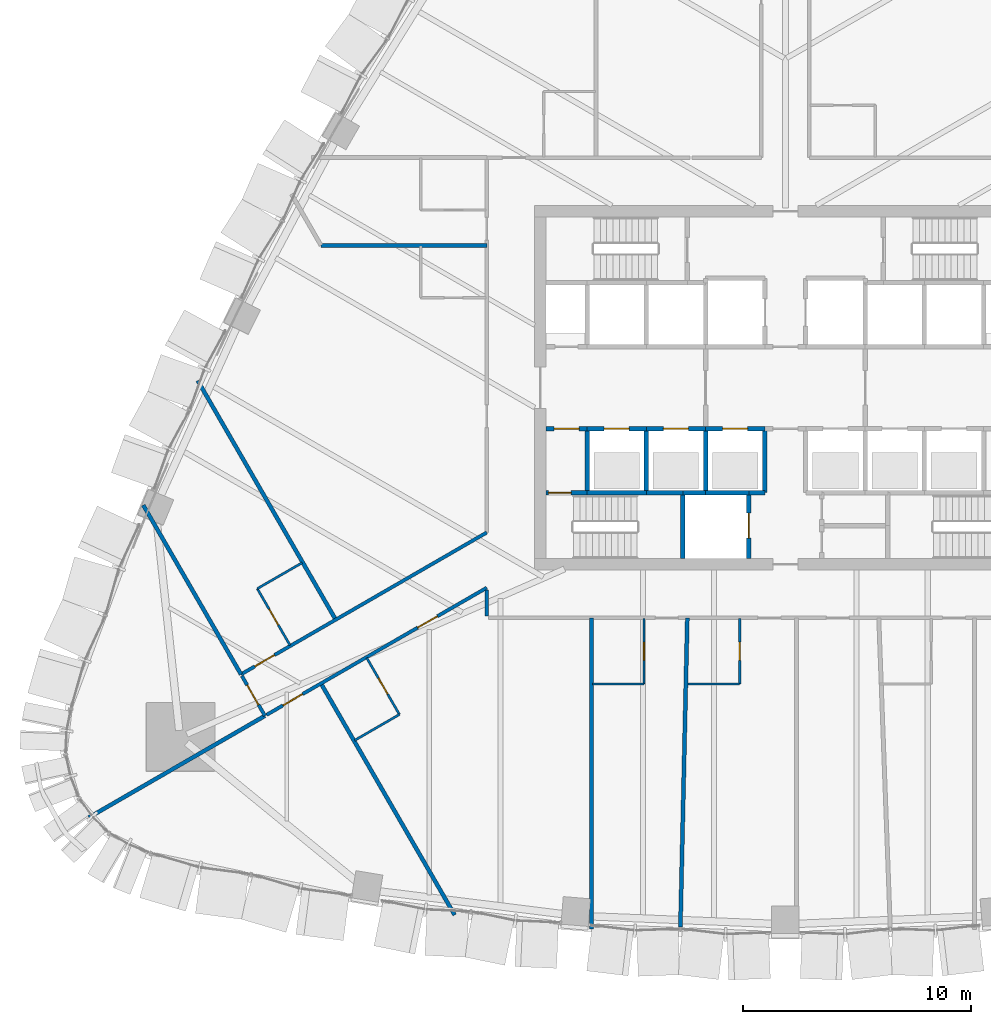
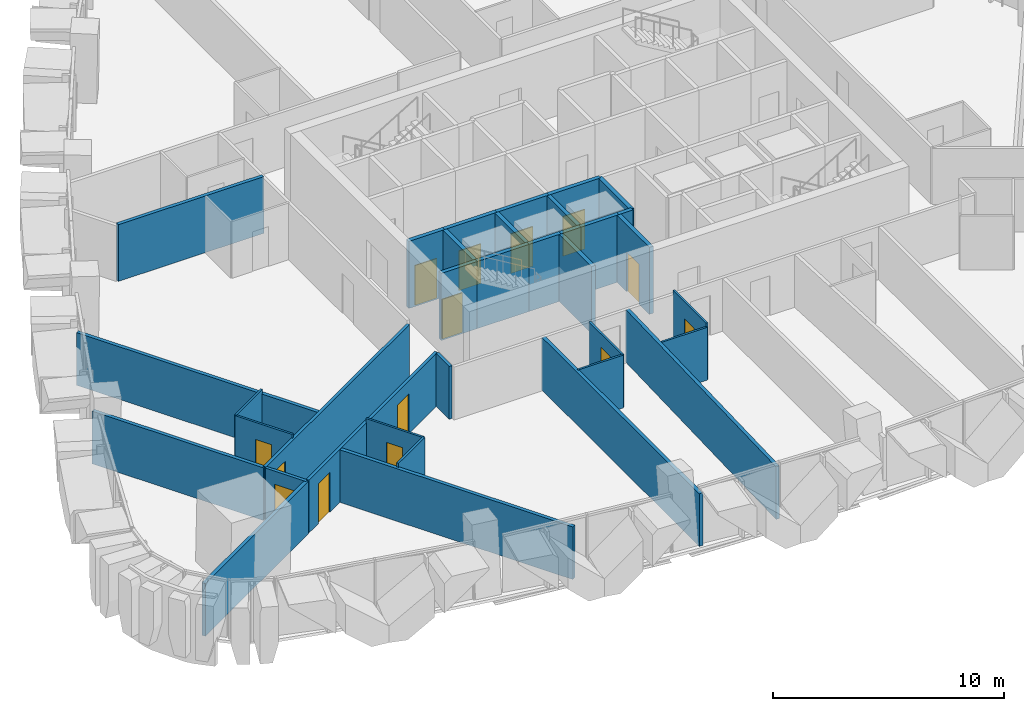
# One storey, part 13 of 23: 35 walls, 14 doors, 14 openings.
"""IFC4 building model written with IfcOpenShell, lengths in metres."""

from ifc_helpers import new_model, si_unit, direction, frame, frame_2d, origin, place, context, subcontext, project, spatial, rectangle, extrude, material, layer, layer_set, type_object, element, fill, save


model = new_model("IFC4")

# Units and contexts
model_context = context("Model", 3, precision=1e-05, world=origin(), true_north=direction((0.0, 1.0)))
body_context = subcontext(model_context, "Body", "Model", "MODEL_VIEW")
ifc_project = project(units=[si_unit("LENGTHUNIT", "METRE"), si_unit("AREAUNIT", "SQUARE_METRE"), si_unit("VOLUMEUNIT", "CUBIC_METRE"), si_unit("PLANEANGLEUNIT", "RADIAN"), si_unit("MASSUNIT", "GRAM", prefix="KILO")], contexts=[model_context])

# Site, building, storey
site_placement = place(None, origin())
site = spatial("IfcSite", under=ifc_project, at=site_placement, CompositionType="ELEMENT")
building_placement = place(site_placement, origin())
building = spatial("IfcBuilding", under=site, at=building_placement, Name="Sierra Prisma Convention Tower", CompositionType="ELEMENT")
storey_placement = place(building_placement, frame((0.0, 0.0, 70.199951171875)))
storey = spatial("IfcBuildingStorey", under=building, at=storey_placement, Name="L13", CompositionType="ELEMENT", Elevation=70.199951171875)

# Wall, opening, door
ifc_material_1 = material(Name="Gypsum board partition", Category="gypsum")
ifc_layer_1 = layer(ifc_material_1, 0.10009765625)
ifc_layer_set_1 = layer_set([ifc_layer_1], Name="Bathroom partition 100")
wall_type_1 = type_object("IfcWallType", Name="Bathroom partition 100", PredefinedType="PARTITIONING", material=ifc_layer_set_1)
wall_1_placement = place(storey_placement, frame((-21.7333984375, -11.30078125, 0.0), z_axis=(0.0, 0.0, 1.0), x_axis=(-0.499999802827, 0.866025517622, 0.0)))
wall_1 = element("IfcWall", 1, at=wall_1_placement, inside=storey, type_object=wall_type_1, Name="Partition L13 bath 1", PredefinedType="PARTITIONING", context=body_context, shape_type="SweptSolid", body=[
    extrude(rectangle(XDim=2.8701171875, YDim=0.10009765625, at=frame_2d((1.43505859375, 0.0))), origin(), (0.0, 0.0, 1.0), 3.0),
])
opening_1_placement = place(wall_1_placement, frame((1.034912109375, 0.0, 0.0)))
opening_1 = element("IfcOpeningElement", 2, at=opening_1_placement, cuts=wall_1, Name="Opening L13-D007", PredefinedType="OPENING", context=body_context, shape_type="SweptSolid", body=[
    extrude(rectangle(XDim=0.800048828125, YDim=2.10009765625, at=frame_2d((0.39990234375, 1.050048828125))), frame((0.0, 0.050048828125, 0.0), z_axis=(0.0, -1.0, 0.0), x_axis=(1.0, 0.0, 0.0)), (0.0, 0.0, 1.0), 0.10009765625),
])
ifc_material_2 = material(Name="Solid core timber door leaf", Category="wood")
door_type_1 = type_object("IfcDoorType", Name="Door 800x2100 plain", OperationType="SINGLE_SWING_LEFT", PredefinedType="DOOR", material=ifc_material_2)
door_1_placement = place(opening_1_placement, origin())
door_1 = element("IfcDoor", 3, at=door_1_placement, inside=storey, type_object=door_type_1, Name="Door L13 17", OperationType="SINGLE_SWING_LEFT", OverallHeight=2.10009765625, OverallWidth=0.800048828125, PredefinedType="DOOR", context=body_context, shape_type="SweptSolid", body=[
    extrude(rectangle(XDim=0.800048828125, YDim=2.10009765625, at=frame_2d((0.39990234375, 1.050048828125))), frame((0.0, 0.02490234375, 0.0), z_axis=(0.0, -1.0, 0.0), x_axis=(1.0, 0.0, 0.0)), (0.0, 0.0, 1.0), 0.050048828125),
])
fill(opening_1, door_1)

# Wall
wall_2_placement = place(storey_placement, frame((-23.16845703125, -8.815185546875, 0.0), z_axis=(0.0, 0.0, 1.0), x_axis=(0.866044110172, 0.499967598186, 0.0)))
element("IfcWall", 4, at=wall_2_placement, inside=storey, type_object=wall_type_1, Name="Partition L13 bath 2", PredefinedType="PARTITIONING", context=body_context, shape_type="SweptSolid", body=[
    extrude(rectangle(XDim=2.270263671875, YDim=0.10009765625, at=frame_2d((1.13525390625, 0.0))), origin(), (0.0, 0.0, 1.0), 3.0),
])

# Wall, opening, door
wall_3_placement = place(storey_placement, frame((-18.367919921875, -11.851806640625, 0.0), z_axis=(0.0, 0.0, 1.0), x_axis=(0.500036638401, -0.866004249561, 0.0)))
wall_3 = element("IfcWall", 5, at=wall_3_placement, inside=storey, type_object=wall_type_1, Name="Partition L13 bath 3", PredefinedType="PARTITIONING", context=body_context, shape_type="SweptSolid", body=[
    extrude(rectangle(XDim=2.869873046875, YDim=0.10009765625, at=frame_2d((1.43505859375, 0.0))), origin(), (0.0, 0.0, 1.0), 3.0),
])
opening_2_placement = place(wall_3_placement, frame((1.034912109375, 0.0, 0.0)))
opening_2 = element("IfcOpeningElement", 6, at=opening_2_placement, cuts=wall_3, Name="Opening L13-D008", PredefinedType="OPENING", context=body_context, shape_type="SweptSolid", body=[
    extrude(rectangle(XDim=0.800048828125, YDim=2.10009765625, at=frame_2d((0.39990234375, 1.050048828125))), frame((0.0, 0.050048828125, 0.0), z_axis=(0.0, -1.0, 0.0), x_axis=(1.0, 0.0, 0.0)), (0.0, 0.0, 1.0), 0.10009765625),
])
door_2_placement = place(opening_2_placement, origin())
door_2 = element("IfcDoor", 7, at=door_2_placement, inside=storey, type_object=door_type_1, Name="Door L13 21", OperationType="SINGLE_SWING_LEFT", OverallHeight=2.10009765625, OverallWidth=0.800048828125, PredefinedType="DOOR", context=body_context, shape_type="SweptSolid", body=[
    extrude(rectangle(XDim=0.800048828125, YDim=2.10009765625, at=frame_2d((0.39990234375, 1.050048828125))), frame((0.0, 0.02490234375, 0.0), z_axis=(0.0, -1.0, 0.0), x_axis=(1.0, 0.0, 0.0)), (0.0, 0.0, 1.0), 0.050048828125),
])
fill(opening_2, door_2)

# Wall
wall_4_placement = place(storey_placement, frame((-16.932861328125, -14.337158203125, 0.0), z_axis=(0.0, 0.0, 1.0), x_axis=(-0.866017224141, -0.500014167291, 0.0)))
element("IfcWall", 8, at=wall_4_placement, inside=storey, type_object=wall_type_1, Name="Partition L13 bath 4", PredefinedType="PARTITIONING", context=body_context, shape_type="SweptSolid", body=[
    extrude(rectangle(XDim=2.27001953125, YDim=0.10009765625, at=frame_2d((1.135009765625, 0.0))), origin(), (0.0, 0.0, 1.0), 3.0),
])

# Wall, opening, door
wall_5_placement = place(storey_placement, frame((-6.199951171875, -10.1298828125, 0.0), z_axis=(0.0, 0.0, 1.0), x_axis=(0.0, -1.0, 0.0)))
wall_5 = element("IfcWall", 9, at=wall_5_placement, inside=storey, type_object=wall_type_1, Name="Partition L13 bath 11", PredefinedType="PARTITIONING", context=body_context, shape_type="SweptSolid", body=[
    extrude(rectangle(XDim=2.8701171875, YDim=0.10009765625, at=frame_2d((1.43505859375, 0.0))), origin(), (0.0, 0.0, 1.0), 2.797119140625),
])
opening_3_placement = place(wall_5_placement, frame((1.034912109375, 0.0, 0.0)))
opening_3 = element("IfcOpeningElement", 10, at=opening_3_placement, cuts=wall_5, Name="Opening L13-D009", PredefinedType="OPENING", context=body_context, shape_type="SweptSolid", body=[
    extrude(rectangle(XDim=0.800048828125, YDim=2.10009765625, at=frame_2d((0.39990234375, 1.050048828125))), frame((0.0, 0.050048828125, 0.0), z_axis=(0.0, -1.0, 0.0), x_axis=(1.0, 0.0, 0.0)), (0.0, 0.0, 1.0), 0.10009765625),
])
door_3_placement = place(opening_3_placement, origin())
door_3 = element("IfcDoor", 11, at=door_3_placement, inside=storey, type_object=door_type_1, Name="Door L13 23", OperationType="SINGLE_SWING_RIGHT", OverallHeight=2.10009765625, OverallWidth=0.800048828125, PredefinedType="DOOR", context=body_context, shape_type="SweptSolid", body=[
    extrude(rectangle(XDim=0.800048828125, YDim=2.10009765625, at=frame_2d((0.39990234375, 1.050048828125))), frame((0.0, 0.02490234375, 0.0), z_axis=(0.0, -1.0, 0.0), x_axis=(1.0, 0.0, 0.0)), (0.0, 0.0, 1.0), 0.050048828125),
])
fill(opening_3, door_3)

# Wall
wall_6_placement = place(storey_placement, frame((-6.199951171875, -13.0, 0.0), z_axis=(0.0, 0.0, 1.0), x_axis=(-1.0, 0.0, 0.0)))
element("IfcWall", 12, at=wall_6_placement, inside=storey, type_object=wall_type_1, Name="Partition L13 bath 12", PredefinedType="PARTITIONING", context=body_context, shape_type="SweptSolid", body=[
    extrude(rectangle(XDim=2.27001953125, YDim=0.10009765625, at=frame_2d((1.135009765625, 0.0))), origin(), (0.0, 0.0, 1.0), 2.797119140625),
])

# Wall, opening, door
wall_7_placement = place(storey_placement, frame((-2.0, -10.1298828125, 0.0), z_axis=(0.0, 0.0, 1.0), x_axis=(0.0, -1.0, 0.0)))
wall_7 = element("IfcWall", 13, at=wall_7_placement, inside=storey, type_object=wall_type_1, Name="Partition L13 bath 13", PredefinedType="PARTITIONING", context=body_context, shape_type="SweptSolid", body=[
    extrude(rectangle(XDim=2.8701171875, YDim=0.10009765625, at=frame_2d((1.43505859375, 0.0))), origin(), (0.0, 0.0, 1.0), 3.0),
])
opening_4_placement = place(wall_7_placement, frame((1.034912109375, 0.0, 0.0)))
opening_4 = element("IfcOpeningElement", 14, at=opening_4_placement, cuts=wall_7, Name="Opening L13-D010", PredefinedType="OPENING", context=body_context, shape_type="SweptSolid", body=[
    extrude(rectangle(XDim=0.800048828125, YDim=2.10009765625, at=frame_2d((0.39990234375, 1.050048828125))), frame((0.0, 0.050048828125, 0.0), z_axis=(0.0, -1.0, 0.0), x_axis=(1.0, 0.0, 0.0)), (0.0, 0.0, 1.0), 0.10009765625),
])
door_4_placement = place(opening_4_placement, origin())
door_4 = element("IfcDoor", 15, at=door_4_placement, inside=storey, type_object=door_type_1, Name="Door L13 25", OperationType="SINGLE_SWING_LEFT", OverallHeight=2.10009765625, OverallWidth=0.800048828125, PredefinedType="DOOR", context=body_context, shape_type="SweptSolid", body=[
    extrude(rectangle(XDim=0.800048828125, YDim=2.10009765625, at=frame_2d((0.39990234375, 1.050048828125))), frame((0.0, 0.02490234375, 0.0), z_axis=(0.0, -1.0, 0.0), x_axis=(1.0, 0.0, 0.0)), (0.0, 0.0, 1.0), 0.050048828125),
])
fill(opening_4, door_4)

# Wall
wall_8_placement = place(storey_placement, frame((-2.0, -13.0, 0.0), z_axis=(0.0, 0.0, 1.0), x_axis=(-1.0, 0.0, 0.0)))
element("IfcWall", 16, at=wall_8_placement, inside=storey, type_object=wall_type_1, Name="Partition L13 bath 14", PredefinedType="PARTITIONING", context=body_context, shape_type="SweptSolid", body=[
    extrude(rectangle(XDim=2.27001953125, YDim=0.10009765625, at=frame_2d((1.135009765625, 0.0))), origin(), (0.0, 0.0, 1.0), 2.797119140625),
])

# Wall, opening, door
ifc_material_3 = material(Name="Concrete C30/37", Category="concrete")
ifc_layer_2 = layer(ifc_material_3, 0.199951171875)
ifc_layer_set_2 = layer_set([ifc_layer_2], Name="Core wall RC 200 C30/37")
wall_type_2 = type_object("IfcWallType", Name="Core wall RC 200 C30/37", PredefinedType="SOLIDWALL", material=ifc_layer_set_2)
wall_9_placement = place(storey_placement, frame((-10.5, -4.60009765625, 0.0), z_axis=(0.0, 0.0, 1.0), x_axis=(1.0, 0.0, 0.0)))
wall_9 = element("IfcWall", 17, at=wall_9_placement, inside=storey, type_object=wall_type_2, Name="Core wall L13 1", PredefinedType="SOLIDWALL", context=body_context, shape_type="SweptSolid", body=[
    extrude(rectangle(XDim=1.800048828125, YDim=0.199951171875, at=frame_2d((0.89990234375, 0.0))), origin(), (0.0, 0.0, 1.0), 3.550048828125),
])
opening_5_placement = place(wall_9_placement, frame((0.10009765625, 0.0, 0.0)))
opening_5 = element("IfcOpeningElement", 18, at=opening_5_placement, cuts=wall_9, Name="Opening L13-D033", PredefinedType="OPENING", context=body_context, shape_type="SweptSolid", body=[
    extrude(rectangle(XDim=1.0, YDim=2.10009765625, at=frame_2d((0.5, 1.050048828125))), frame((0.0, 0.10009765625, 0.0), z_axis=(0.0, -1.0, 0.0), x_axis=(1.0, 0.0, 0.0)), (0.0, 0.0, 1.0), 0.199951171875),
])
ifc_material_4 = material(Name="Steel fire door leaf", Category="steel")
door_type_2 = type_object("IfcDoorType", Name="Door 1000x2100 FD90S", OperationType="SINGLE_SWING_LEFT", PredefinedType="DOOR", material=ifc_material_4)
door_5_placement = place(opening_5_placement, origin())
door_5 = element("IfcDoor", 19, at=door_5_placement, inside=storey, type_object=door_type_2, Name="Door L13 54", OperationType="SINGLE_SWING_LEFT", OverallHeight=2.10009765625, OverallWidth=1.0, PredefinedType="DOOR", context=body_context, shape_type="SweptSolid", body=[
    extrude(rectangle(XDim=1.0, YDim=2.10009765625, at=frame_2d((0.5, 1.050048828125))), frame((0.0, 0.02490234375, 0.0), z_axis=(0.0, -1.0, 0.0), x_axis=(1.0, 0.0, 0.0)), (0.0, 0.0, 1.0), 0.050048828125),
])
fill(opening_5, door_5)

wall_10_placement = place(storey_placement, frame((-10.5, -1.800048828125, 0.0), z_axis=(0.0, 0.0, 1.0), x_axis=(1.0, 0.0, 0.0)))
wall_10 = element("IfcWall", 20, at=wall_10_placement, inside=storey, type_object=wall_type_2, Name="Core wall L13 2", PredefinedType="SOLIDWALL", context=body_context, shape_type="SweptSolid", body=[
    extrude(rectangle(XDim=1.800048828125, YDim=0.199951171875, at=frame_2d((0.89990234375, 0.0))), origin(), (0.0, 0.0, 1.0), 3.550048828125),
])
opening_6_placement = place(wall_10_placement, frame((0.35009765625, 0.0, 0.0)))
opening_6 = element("IfcOpeningElement", 21, at=opening_6_placement, cuts=wall_10, Name="Opening L13-D027", PredefinedType="OPENING", context=body_context, shape_type="SweptSolid", body=[
    extrude(rectangle(XDim=1.10009765625, YDim=2.10009765625, at=frame_2d((0.550048828125, 1.050048828125))), frame((0.0, 0.10009765625, 0.0), z_axis=(0.0, -1.0, 0.0), x_axis=(1.0, 0.0, 0.0)), (0.0, 0.0, 1.0), 0.199951171875),
])
ifc_material_5 = material(Name="Steel fire door leaf", Category="steel")
door_type_3 = type_object("IfcDoorType", Name="Door 1100x2100 FD90S", OperationType="SINGLE_SWING_LEFT", PredefinedType="DOOR", material=ifc_material_5)
door_6_placement = place(opening_6_placement, origin())
door_6 = element("IfcDoor", 22, at=door_6_placement, inside=storey, type_object=door_type_3, Name="Door L13 48", OperationType="SINGLE_SWING_LEFT", OverallHeight=2.10009765625, OverallWidth=1.10009765625, PredefinedType="DOOR", context=body_context, shape_type="SweptSolid", body=[
    extrude(rectangle(XDim=1.10009765625, YDim=2.10009765625, at=frame_2d((0.550048828125, 1.050048828125))), frame((0.0, 0.02490234375, 0.0), z_axis=(0.0, -1.0, 0.0), x_axis=(1.0, 0.0, 0.0)), (0.0, 0.0, 1.0), 0.050048828125),
])
fill(opening_6, door_6)

# Walls
wall_11_placement = place(storey_placement, frame((-8.699951171875, -4.60009765625, 0.0), z_axis=(0.0, 0.0, 1.0), x_axis=(1.0, 0.0, 0.0)))
element("IfcWall", 23, at=wall_11_placement, inside=storey, type_object=wall_type_2, Name="Core wall L13 5", PredefinedType="SOLIDWALL", context=body_context, shape_type="SweptSolid", body=[
    extrude(rectangle(XDim=2.599853515625, YDim=0.199951171875, at=frame_2d((1.2998046875, 0.0))), origin(), (0.0, 0.0, 1.0), 3.550048828125),
])
wall_12_placement = place(storey_placement, frame((-8.699951171875, -4.60009765625, 0.0), z_axis=(0.0, 0.0, 1.0), x_axis=(0.0, 1.0, 0.0)))
element("IfcWall", 24, at=wall_12_placement, inside=storey, type_object=wall_type_2, Name="Core wall L13 6", PredefinedType="SOLIDWALL", context=body_context, shape_type="SweptSolid", body=[
    extrude(rectangle(XDim=2.800048828125, YDim=0.199951171875, at=frame_2d((1.39990234375, 0.0))), origin(), (0.0, 0.0, 1.0), 3.550048828125),
])

# Wall, opening, door
wall_13_placement = place(storey_placement, frame((-8.699951171875, -1.800048828125, 0.0), z_axis=(0.0, 0.0, 1.0), x_axis=(1.0, 0.0, 0.0)))
wall_13 = element("IfcWall", 25, at=wall_13_placement, inside=storey, type_object=wall_type_2, Name="Core wall L13 7", PredefinedType="SOLIDWALL", context=body_context, shape_type="SweptSolid", body=[
    extrude(rectangle(XDim=2.599853515625, YDim=0.199951171875, at=frame_2d((1.2998046875, 0.0))), origin(), (0.0, 0.0, 1.0), 3.550048828125),
])
opening_7_placement = place(wall_13_placement, frame((0.75, 0.0, 0.0)))
opening_7 = element("IfcOpeningElement", 26, at=opening_7_placement, cuts=wall_13, Name="Opening L13-D016", PredefinedType="OPENING", context=body_context, shape_type="SweptSolid", body=[
    extrude(rectangle(XDim=1.10009765625, YDim=2.10009765625, at=frame_2d((0.550048828125, 1.050048828125))), frame((0.0, 0.10009765625, 0.0), z_axis=(0.0, -1.0, 0.0), x_axis=(1.0, 0.0, 0.0)), (0.0, 0.0, 1.0), 0.199951171875),
])
ifc_material_6 = material(Name="Steel fire door leaf", Category="steel")
door_type_4 = type_object("IfcDoorType", Name="Door 1100x2100 EI 90 sliding lift landing", OperationType="SLIDING_TO_LEFT", PredefinedType="DOOR", material=ifc_material_6)
door_7_placement = place(opening_7_placement, origin())
door_7 = element("IfcDoor", 27, at=door_7_placement, inside=storey, type_object=door_type_4, Name="Door L13 37", OperationType="SLIDING_TO_RIGHT", OverallHeight=2.10009765625, OverallWidth=1.10009765625, PredefinedType="DOOR", context=body_context, shape_type="SweptSolid", body=[
    extrude(rectangle(XDim=1.10009765625, YDim=2.10009765625, at=frame_2d((0.550048828125, 1.050048828125))), frame((0.0, 0.02490234375, 0.0), z_axis=(0.0, -1.0, 0.0), x_axis=(1.0, 0.0, 0.0)), (0.0, 0.0, 1.0), 0.050048828125),
])
fill(opening_7, door_7)

# Walls
wall_14_placement = place(storey_placement, frame((-6.10009765625, -4.60009765625, 0.0), z_axis=(0.0, 0.0, 1.0), x_axis=(1.0, 0.0, 0.0)))
element("IfcWall", 28, at=wall_14_placement, inside=storey, type_object=wall_type_2, Name="Core wall L13 11", PredefinedType="SOLIDWALL", context=body_context, shape_type="SweptSolid", body=[
    extrude(rectangle(XDim=1.60009765625, YDim=0.199951171875, at=frame_2d((0.800048828125, 0.0))), origin(), (0.0, 0.0, 1.0), 3.550048828125),
])
wall_15_placement = place(storey_placement, frame((-6.10009765625, -4.60009765625, 0.0), z_axis=(0.0, 0.0, 1.0), x_axis=(0.0, 1.0, 0.0)))
element("IfcWall", 29, at=wall_15_placement, inside=storey, type_object=wall_type_2, Name="Core wall L13 12", PredefinedType="SOLIDWALL", context=body_context, shape_type="SweptSolid", body=[
    extrude(rectangle(XDim=2.800048828125, YDim=0.199951171875, at=frame_2d((1.39990234375, 0.0))), origin(), (0.0, 0.0, 1.0), 3.550048828125),
])

# Wall, opening, door
wall_16_placement = place(storey_placement, frame((-6.10009765625, -1.800048828125, 0.0), z_axis=(0.0, 0.0, 1.0), x_axis=(1.0, 0.0, 0.0)))
wall_16 = element("IfcWall", 30, at=wall_16_placement, inside=storey, type_object=wall_type_2, Name="Core wall L13 13", PredefinedType="SOLIDWALL", context=body_context, shape_type="SweptSolid", body=[
    extrude(rectangle(XDim=2.60009765625, YDim=0.199951171875, at=frame_2d((1.300048828125, 0.0))), origin(), (0.0, 0.0, 1.0), 3.550048828125),
])
opening_8_placement = place(wall_16_placement, frame((0.75, 0.0, 0.0)))
opening_8 = element("IfcOpeningElement", 31, at=opening_8_placement, cuts=wall_16, Name="Opening L13-D017", PredefinedType="OPENING", context=body_context, shape_type="SweptSolid", body=[
    extrude(rectangle(XDim=1.10009765625, YDim=2.10009765625, at=frame_2d((0.550048828125, 1.050048828125))), frame((0.0, 0.10009765625, 0.0), z_axis=(0.0, -1.0, 0.0), x_axis=(1.0, 0.0, 0.0)), (0.0, 0.0, 1.0), 0.199951171875),
])
door_8_placement = place(opening_8_placement, origin())
door_8 = element("IfcDoor", 32, at=door_8_placement, inside=storey, type_object=door_type_4, Name="Door L13 38", OperationType="SLIDING_TO_RIGHT", OverallHeight=2.10009765625, OverallWidth=1.10009765625, PredefinedType="DOOR", context=body_context, shape_type="SweptSolid", body=[
    extrude(rectangle(XDim=1.10009765625, YDim=2.10009765625, at=frame_2d((0.550048828125, 1.050048828125))), frame((0.0, 0.02490234375, 0.0), z_axis=(0.0, -1.0, 0.0), x_axis=(1.0, 0.0, 0.0)), (0.0, 0.0, 1.0), 0.050048828125),
])
fill(opening_8, door_8)

# Walls
wall_17_placement = place(storey_placement, frame((-4.5, -4.60009765625, 0.0), z_axis=(0.0, 0.0, 1.0), x_axis=(0.0, -1.0, 0.0)))
element("IfcWall", 33, at=wall_17_placement, inside=storey, type_object=wall_type_2, Name="Core wall L13 17", PredefinedType="SOLIDWALL", context=body_context, shape_type="SweptSolid", body=[
    extrude(rectangle(XDim=2.89990234375, YDim=0.199951171875, at=frame_2d((1.449951171875, 0.0))), origin(), (0.0, 0.0, 1.0), 3.550048828125),
])
wall_18_placement = place(storey_placement, frame((-4.5, -4.60009765625, 0.0), z_axis=(0.0, 0.0, 1.0), x_axis=(1.0, 0.0, 0.0)))
element("IfcWall", 34, at=wall_18_placement, inside=storey, type_object=wall_type_2, Name="Core wall L13 18", PredefinedType="SOLIDWALL", context=body_context, shape_type="SweptSolid", body=[
    extrude(rectangle(XDim=1.0, YDim=0.199951171875, at=frame_2d((0.5, 0.0))), origin(), (0.0, 0.0, 1.0), 3.550048828125),
])
wall_19_placement = place(storey_placement, frame((-3.5, -4.60009765625, 0.0), z_axis=(0.0, 0.0, 1.0), x_axis=(1.0, 0.0, 0.0)))
element("IfcWall", 35, at=wall_19_placement, inside=storey, type_object=wall_type_2, Name="Core wall L13 21", PredefinedType="SOLIDWALL", context=body_context, shape_type="SweptSolid", body=[
    extrude(rectangle(XDim=1.89990234375, YDim=0.199951171875, at=frame_2d((0.949951171875, 0.0))), origin(), (0.0, 0.0, 1.0), 3.550048828125),
])
wall_20_placement = place(storey_placement, frame((-3.5, -4.60009765625, 0.0), z_axis=(0.0, 0.0, 1.0), x_axis=(0.0, 1.0, 0.0)))
element("IfcWall", 36, at=wall_20_placement, inside=storey, type_object=wall_type_2, Name="Core wall L13 22", PredefinedType="SOLIDWALL", context=body_context, shape_type="SweptSolid", body=[
    extrude(rectangle(XDim=2.800048828125, YDim=0.199951171875, at=frame_2d((1.39990234375, 0.0))), origin(), (0.0, 0.0, 1.0), 3.550048828125),
])

# Wall, opening, door
wall_21_placement = place(storey_placement, frame((-3.5, -1.800048828125, 0.0), z_axis=(0.0, 0.0, 1.0), x_axis=(1.0, 0.0, 0.0)))
wall_21 = element("IfcWall", 37, at=wall_21_placement, inside=storey, type_object=wall_type_2, Name="Core wall L13 23", PredefinedType="SOLIDWALL", context=body_context, shape_type="SweptSolid", body=[
    extrude(rectangle(XDim=2.60009765625, YDim=0.199951171875, at=frame_2d((1.300048828125, 0.0))), origin(), (0.0, 0.0, 1.0), 3.550048828125),
])
opening_9_placement = place(wall_21_placement, frame((0.75, 0.0, 0.0)))
opening_9 = element("IfcOpeningElement", 38, at=opening_9_placement, cuts=wall_21, Name="Opening L13-D018", PredefinedType="OPENING", context=body_context, shape_type="SweptSolid", body=[
    extrude(rectangle(XDim=1.10009765625, YDim=2.10009765625, at=frame_2d((0.550048828125, 1.050048828125))), frame((0.0, 0.10009765625, 0.0), z_axis=(0.0, -1.0, 0.0), x_axis=(1.0, 0.0, 0.0)), (0.0, 0.0, 1.0), 0.199951171875),
])
door_9_placement = place(opening_9_placement, origin())
door_9 = element("IfcDoor", 39, at=door_9_placement, inside=storey, type_object=door_type_4, Name="Door L13 39", OperationType="SLIDING_TO_RIGHT", OverallHeight=2.10009765625, OverallWidth=1.10009765625, PredefinedType="DOOR", context=body_context, shape_type="SweptSolid", body=[
    extrude(rectangle(XDim=1.10009765625, YDim=2.10009765625, at=frame_2d((0.550048828125, 1.050048828125))), frame((0.0, 0.02490234375, 0.0), z_axis=(0.0, -1.0, 0.0), x_axis=(1.0, 0.0, 0.0)), (0.0, 0.0, 1.0), 0.050048828125),
])
fill(opening_9, door_9)

wall_22_placement = place(storey_placement, frame((-1.60009765625, -7.5, 0.0), z_axis=(0.0, 0.0, 1.0), x_axis=(0.0, 1.0, 0.0)))
wall_22 = element("IfcWall", 40, at=wall_22_placement, inside=storey, type_object=wall_type_2, Name="Core wall L13 30", PredefinedType="SOLIDWALL", context=body_context, shape_type="SweptSolid", body=[
    extrude(rectangle(XDim=2.89990234375, YDim=0.199951171875, at=frame_2d((1.449951171875, 0.0))), origin(), (0.0, 0.0, 1.0), 3.550048828125),
])
opening_10_placement = place(wall_22_placement, frame((0.89990234375, 0.0, 0.0)))
opening_10 = element("IfcOpeningElement", 41, at=opening_10_placement, cuts=wall_22, Name="Opening L13-D024", PredefinedType="OPENING", context=body_context, shape_type="SweptSolid", body=[
    extrude(rectangle(XDim=1.10009765625, YDim=2.10009765625, at=frame_2d((0.550048828125, 1.050048828125))), frame((0.0, 0.10009765625, 0.0), z_axis=(0.0, -1.0, 0.0), x_axis=(1.0, 0.0, 0.0)), (0.0, 0.0, 1.0), 0.199951171875),
])
door_10_placement = place(opening_10_placement, origin())
door_10 = element("IfcDoor", 42, at=door_10_placement, inside=storey, type_object=door_type_4, Name="Door L13 45", OperationType="SLIDING_TO_LEFT", OverallHeight=2.10009765625, OverallWidth=1.10009765625, PredefinedType="DOOR", context=body_context, shape_type="SweptSolid", body=[
    extrude(rectangle(XDim=1.10009765625, YDim=2.10009765625, at=frame_2d((0.550048828125, 1.050048828125))), frame((0.0, 0.02490234375, 0.0), z_axis=(0.0, -1.0, 0.0), x_axis=(1.0, 0.0, 0.0)), (0.0, 0.0, 1.0), 0.050048828125),
])
fill(opening_10, door_10)

# Walls
wall_23_placement = place(storey_placement, frame((-1.60009765625, -4.60009765625, 0.0), z_axis=(0.0, 0.0, 1.0), x_axis=(1.0, 0.0, 0.0)))
element("IfcWall", 43, at=wall_23_placement, inside=storey, type_object=wall_type_2, Name="Core wall L13 31", PredefinedType="SOLIDWALL", context=body_context, shape_type="SweptSolid", body=[
    extrude(rectangle(XDim=0.7001953125, YDim=0.199951171875, at=frame_2d((0.35009765625, 0.0))), origin(), (0.0, 0.0, 1.0), 3.550048828125),
])
wall_24_placement = place(storey_placement, frame((-0.89990234375, -4.60009765625, 0.0), z_axis=(0.0, 0.0, 1.0), x_axis=(0.0, 1.0, 0.0)))
element("IfcWall", 44, at=wall_24_placement, inside=storey, type_object=wall_type_2, Name="Core wall L13 32", PredefinedType="SOLIDWALL", context=body_context, shape_type="SweptSolid", body=[
    extrude(rectangle(XDim=2.800048828125, YDim=0.199951171875, at=frame_2d((1.39990234375, 0.0))), origin(), (0.0, 0.0, 1.0), 3.550048828125),
])

# Wall, opening, door
ifc_material_7 = material(Name="Gypsum board partition", Category="gypsum")
ifc_layer_3 = layer(ifc_material_7, 0.14990234375)
ifc_layer_set_3 = layer_set([ifc_layer_3], Name="Corridor wall 150 gypsum EI 60")
wall_type_3 = type_object("IfcWallType", Name="Corridor wall 150 gypsum EI 60", PredefinedType="PARTITIONING", material=ifc_layer_set_3)
wall_25_placement = place(storey_placement, frame((-13.10009765625, -6.350830078125, 0.0), z_axis=(0.0, 0.0, 1.0), x_axis=(-0.86602036638, -0.500008724938, 0.0)))
wall_25 = element("IfcWall", 45, at=wall_25_placement, inside=storey, type_object=wall_type_3, Name="Partition L13 corr 1", PredefinedType="PARTITIONING", context=body_context, shape_type="SweptSolid", body=[
    extrude(rectangle(XDim=12.451416015625, YDim=0.14990234375, at=frame_2d((6.2255859375, 0.0))), origin(), (0.0, 0.0, 1.0), 2.797119140625),
])
opening_11_placement = place(wall_25_placement, frame((10.751708984375, 0.0, 0.0)))
opening_11 = element("IfcOpeningElement", 46, at=opening_11_placement, cuts=wall_25, Name="Opening L13-D048", PredefinedType="OPENING", context=body_context, shape_type="SweptSolid", body=[
    extrude(rectangle(XDim=1.0, YDim=2.10009765625, at=frame_2d((0.5, 1.050048828125))), frame((0.0, 0.074951171875, 0.0), z_axis=(0.0, -1.0, 0.0), x_axis=(1.0, 0.0, 0.0)), (0.0, 0.0, 1.0), 0.14990234375),
])
ifc_material_8 = material(Name="Steel fire door leaf", Category="steel")
door_type_5 = type_object("IfcDoorType", Name="Door 1000x2100 FD30S", OperationType="SINGLE_SWING_LEFT", PredefinedType="DOOR", material=ifc_material_8)
door_11_placement = place(opening_11_placement, origin())
door_11 = element("IfcDoor", 47, at=door_11_placement, inside=storey, type_object=door_type_5, Name="Door L13 16", OperationType="SINGLE_SWING_LEFT", OverallHeight=2.10009765625, OverallWidth=1.0, PredefinedType="DOOR", context=body_context, shape_type="SweptSolid", body=[
    extrude(rectangle(XDim=1.0, YDim=2.10009765625, at=frame_2d((0.5, 1.050048828125))), frame((0.0, 0.02490234375, 0.0), z_axis=(0.0, -1.0, 0.0), x_axis=(1.0, 0.0, 0.0)), (0.0, 0.0, 1.0), 0.050048828125),
])
fill(opening_11, door_11)

wall_26_placement = place(storey_placement, frame((-23.843505859375, -12.64599609375, 0.0), z_axis=(0.0, 0.0, 1.0), x_axis=(0.500025864173, -0.866010470582, 0.0)))
wall_26 = element("IfcWall", 48, at=wall_26_placement, inside=storey, type_object=wall_type_3, Name="Partition L13 corr 2", PredefinedType="PARTITIONING", context=body_context, shape_type="SweptSolid", body=[
    extrude(rectangle(XDim=2.02001953125, YDim=0.14990234375, at=frame_2d((1.010009765625, 0.0))), origin(), (0.0, 0.0, 1.0), 2.797119140625),
])
opening_12_placement = place(wall_26_placement, frame((0.4599609375, 0.0, 0.0)))
opening_12 = element("IfcOpeningElement", 49, at=opening_12_placement, cuts=wall_26, Name="Opening L13-D049", PredefinedType="OPENING", context=body_context, shape_type="SweptSolid", body=[
    extrude(rectangle(XDim=1.0, YDim=2.10009765625, at=frame_2d((0.5, 1.050048828125))), frame((0.0, 0.074951171875, 0.0), z_axis=(0.0, -1.0, 0.0), x_axis=(1.0, 0.0, 0.0)), (0.0, 0.0, 1.0), 0.14990234375),
])
door_12_placement = place(opening_12_placement, origin())
door_12 = element("IfcDoor", 50, at=door_12_placement, inside=storey, type_object=door_type_5, Name="Door L13 18", OperationType="SINGLE_SWING_LEFT", OverallHeight=2.10009765625, OverallWidth=1.0, PredefinedType="DOOR", context=body_context, shape_type="SweptSolid", body=[
    extrude(rectangle(XDim=1.0, YDim=2.10009765625, at=frame_2d((0.5, 1.050048828125))), frame((0.0, 0.02490234375, 0.0), z_axis=(0.0, -1.0, 0.0), x_axis=(1.0, 0.0, 0.0)), (0.0, 0.0, 1.0), 0.050048828125),
])
fill(opening_12, door_12)

# Wall, openings, doors
wall_27_placement = place(storey_placement, frame((-22.76416015625, -14.355224609375, 0.0), z_axis=(0.0, 0.0, 1.0), x_axis=(0.866023822231, 0.500002739321, 0.0)))
wall_27 = element("IfcWall", 51, at=wall_27_placement, inside=storey, type_object=wall_type_3, Name="Partition L13 corr 3", PredefinedType="PARTITIONING", context=body_context, shape_type="SweptSolid", body=[
    extrude(rectangle(XDim=11.1591796875, YDim=0.14990234375, at=frame_2d((5.57958984375, 0.0))), origin(), (0.0, 0.0, 1.0), 2.797119140625),
])
opening_13_placement = place(wall_27_placement, frame((0.82958984375, 0.0, 0.0)))
opening_13 = element("IfcOpeningElement", 52, at=opening_13_placement, cuts=wall_27, Name="Opening L13-D050", PredefinedType="OPENING", context=body_context, shape_type="SweptSolid", body=[
    extrude(rectangle(XDim=1.0, YDim=2.10009765625, at=frame_2d((0.5, 1.050048828125))), frame((0.0, 0.074951171875, 0.0), z_axis=(0.0, -1.0, 0.0), x_axis=(1.0, 0.0, 0.0)), (0.0, 0.0, 1.0), 0.14990234375),
])
opening_14_placement = place(wall_27_placement, frame((7.6591796875, 0.0, 0.0)))
opening_14 = element("IfcOpeningElement", 53, at=opening_14_placement, cuts=wall_27, Name="Opening L13-D051", PredefinedType="OPENING", context=body_context, shape_type="SweptSolid", body=[
    extrude(rectangle(XDim=1.0, YDim=2.10009765625, at=frame_2d((0.5, 1.050048828125))), frame((0.0, 0.074951171875, 0.0), z_axis=(0.0, -1.0, 0.0), x_axis=(1.0, 0.0, 0.0)), (0.0, 0.0, 1.0), 0.14990234375),
])
door_13_placement = place(opening_13_placement, origin())
door_13 = element("IfcDoor", 54, at=door_13_placement, inside=storey, type_object=door_type_5, Name="Door L13 19", OperationType="SINGLE_SWING_LEFT", OverallHeight=2.10009765625, OverallWidth=1.0, PredefinedType="DOOR", context=body_context, shape_type="SweptSolid", body=[
    extrude(rectangle(XDim=1.0, YDim=2.10009765625, at=frame_2d((0.5, 1.050048828125))), frame((0.0, 0.02490234375, 0.0), z_axis=(0.0, -1.0, 0.0), x_axis=(1.0, 0.0, 0.0)), (0.0, 0.0, 1.0), 0.050048828125),
])
fill(opening_13, door_13)
door_14_placement = place(opening_14_placement, origin())
door_14 = element("IfcDoor", 55, at=door_14_placement, inside=storey, type_object=door_type_5, Name="Door L13 20", OperationType="SINGLE_SWING_LEFT", OverallHeight=2.10009765625, OverallWidth=1.0, PredefinedType="DOOR", context=body_context, shape_type="SweptSolid", body=[
    extrude(rectangle(XDim=1.0, YDim=2.10009765625, at=frame_2d((0.5, 1.050048828125))), frame((0.0, 0.02490234375, 0.0), z_axis=(0.0, -1.0, 0.0), x_axis=(1.0, 0.0, 0.0)), (0.0, 0.0, 1.0), 0.050048828125),
])
fill(opening_14, door_14)

# Walls
wall_28_placement = place(storey_placement, frame((-13.10009765625, -8.8671875, 0.0), z_axis=(0.0, 0.0, 1.0), x_axis=(0.0, -1.0, 0.0)))
element("IfcWall", 56, at=wall_28_placement, inside=storey, type_object=wall_type_3, Name="Partition L13 corr 4", PredefinedType="PARTITIONING", context=body_context, shape_type="SweptSolid", body=[
    extrude(rectangle(XDim=1.15283203125, YDim=0.14990234375, at=frame_2d((0.576416015625, 0.0))), origin(), (0.0, 0.0, 1.0), 2.797119140625),
])
ifc_material_9 = material(Name="Acoustic gypsum board partition", Category="gypsum")
ifc_layer_4 = layer(ifc_material_9, 0.175048828125)
ifc_layer_set_4 = layer_set([ifc_layer_4], Name="Guest room party wall 175 acoustic EI 60")
wall_type_4 = type_object("IfcWallType", Name="Guest room party wall 175 acoustic EI 60", PredefinedType="PARTITIONING", material=ifc_layer_set_4)
wall_29_placement = place(storey_placement, frame((-22.83349609375, -14.395263671875, 0.0), z_axis=(0.0, 0.0, 1.0), x_axis=(-0.866021023613, -0.500007586602, 0.0)))
element("IfcWall", 57, at=wall_29_placement, inside=storey, type_object=wall_type_4, Name="Partition L13 hparty 1", PredefinedType="PARTITIONING", context=body_context, shape_type="SweptSolid", body=[
    extrude(rectangle(XDim=8.918701171875, YDim=0.175048828125, at=frame_2d((4.45947265625, 0.0))), origin(), (0.0, 0.0, 1.0), 2.783935546875),
])
wall_30_placement = place(storey_placement, frame((-23.88330078125, -12.57666015625, 0.0), z_axis=(0.0, 0.0, 1.0), x_axis=(-0.500021453979, 0.866013016969, 0.0)))
element("IfcWall", 58, at=wall_30_placement, inside=storey, type_object=wall_type_4, Name="Partition L13 hparty 2", PredefinedType="PARTITIONING", context=body_context, shape_type="SweptSolid", body=[
    extrude(rectangle(XDim=8.57568359375, YDim=0.175048828125, at=frame_2d((4.287841796875, 0.0))), origin(), (0.0, 0.0, 1.0), 2.783935546875),
])
wall_31_placement = place(storey_placement, frame((-19.7265625, -10.1767578125, 0.0), z_axis=(0.0, 0.0, 1.0), x_axis=(-0.499992848968, 0.866029532395, 0.0)))
element("IfcWall", 59, at=wall_31_placement, inside=storey, type_object=wall_type_4, Name="Partition L13 hparty 3", PredefinedType="PARTITIONING", context=body_context, shape_type="SweptSolid", body=[
    extrude(rectangle(XDim=12.114501953125, YDim=0.175048828125, at=frame_2d((6.05712890625, 0.0))), origin(), (0.0, 0.0, 1.0), 2.783935546875),
])
wall_32_placement = place(storey_placement, frame((-13.10009765625, 6.2490234375, 0.0), z_axis=(0.0, 0.0, 1.0), x_axis=(-1.0, 0.0, 0.0)))
element("IfcWall", 60, at=wall_32_placement, inside=storey, type_object=wall_type_4, Name="Partition L13 hparty 4", PredefinedType="PARTITIONING", context=body_context, shape_type="SweptSolid", body=[
    extrude(rectangle(XDim=7.2744140625, YDim=0.175048828125, at=frame_2d((3.63720703125, 0.0))), origin(), (0.0, 0.0, 1.0), 3.0),
])
wall_33_placement = place(storey_placement, frame((-14.509765625, -23.1337890625, 0.0), z_axis=(0.0, 0.0, 1.0), x_axis=(-0.499993911886, 0.86602891873, 0.0)))
element("IfcWall", 61, at=wall_33_placement, inside=storey, type_object=wall_type_4, Name="Partition L13 hparty 7", PredefinedType="PARTITIONING", context=body_context, shape_type="SweptSolid", body=[
    extrude(rectangle(XDim=11.729736328125, YDim=0.175048828125, at=frame_2d((5.86474609375, 0.0))), origin(), (0.0, 0.0, 1.0), 2.783935546875),
])
wall_34_placement = place(storey_placement, frame((-8.5, -10.10009765625, 0.0), z_axis=(0.0, 0.0, 1.0), x_axis=(0.0, -1.0, 0.0)))
element("IfcWall", 62, at=wall_34_placement, inside=storey, type_object=wall_type_4, Name="Partition L13 hparty 8", PredefinedType="PARTITIONING", context=body_context, shape_type="SweptSolid", body=[
    extrude(rectangle(XDim=13.65087890625, YDim=0.175048828125, at=frame_2d((6.825439453125, 0.0))), origin(), (0.0, 0.0, 1.0), 2.783935546875),
])
wall_35_placement = place(storey_placement, frame((-4.300048828125, -10.10009765625, 0.0), z_axis=(0.0, 0.0, 1.0), x_axis=(-0.022381510937, -0.99974950261, 0.0)))
element("IfcWall", 63, at=wall_35_placement, inside=storey, type_object=wall_type_4, Name="Partition L13 hparty 10", PredefinedType="PARTITIONING", context=body_context, shape_type="SweptSolid", body=[
    extrude(rectangle(XDim=13.558837890625, YDim=0.175048828125, at=frame_2d((6.779296875, 0.0))), origin(), (0.0, 0.0, 1.0), 2.783935546875),
])

save(model, "model.ifc")
